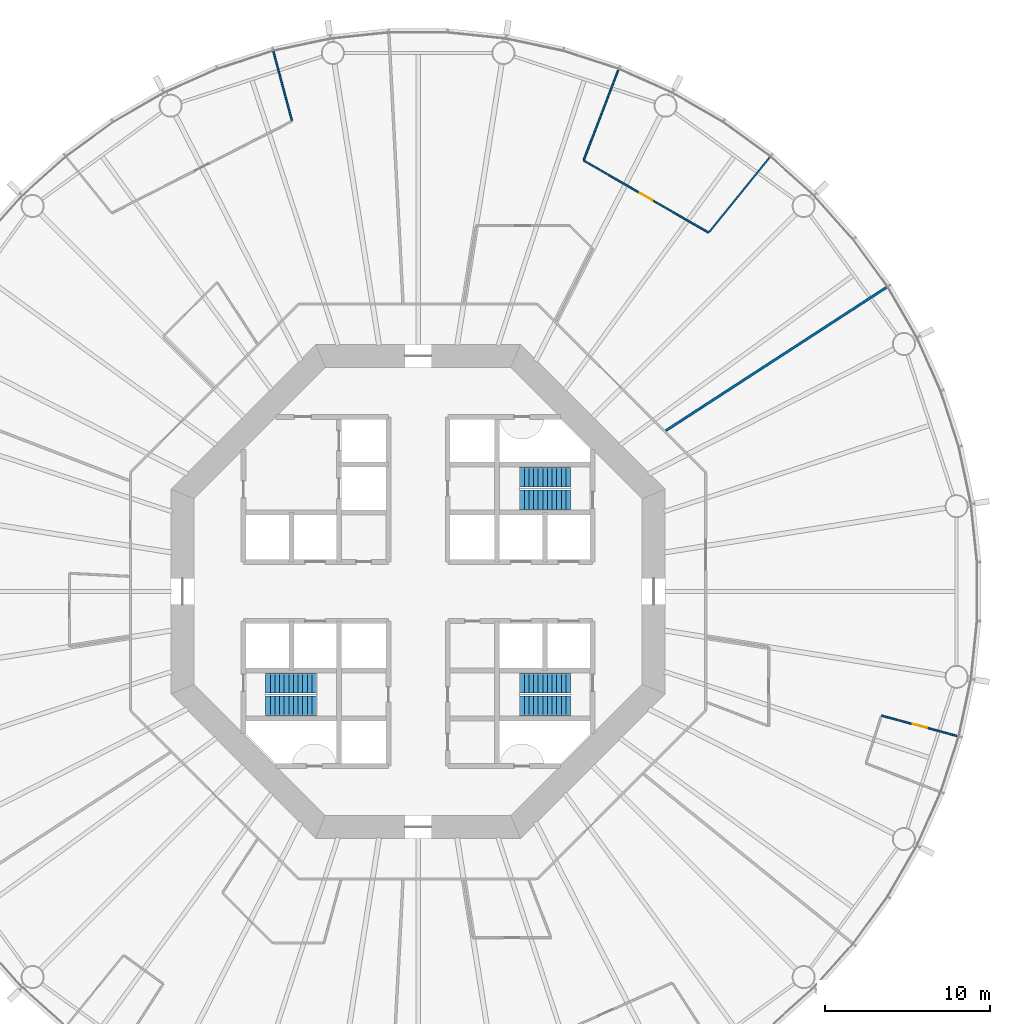
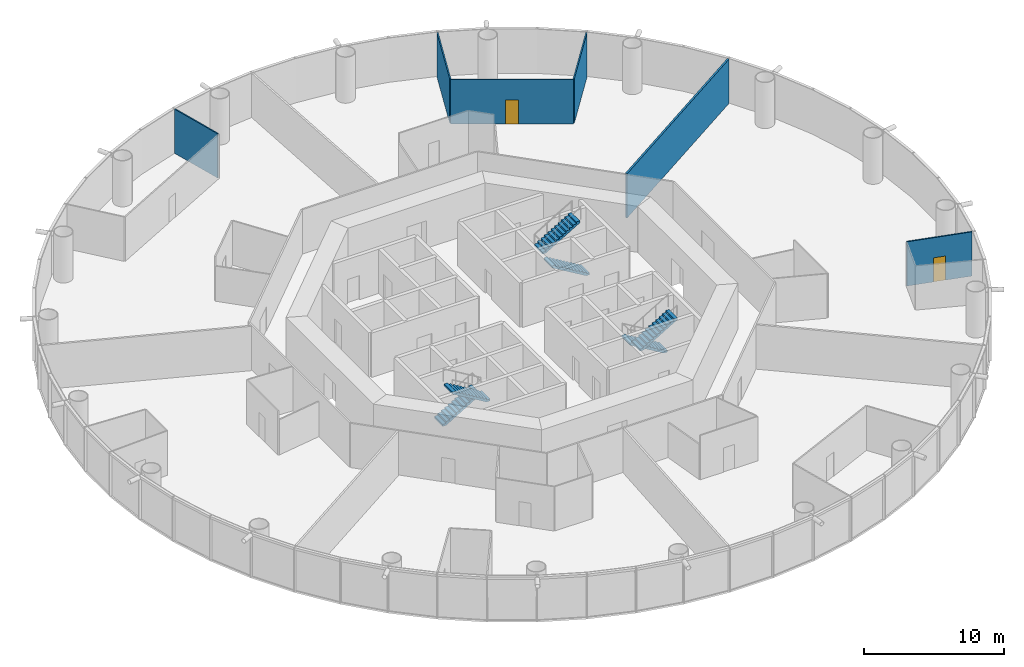
# One storey, part 6 of 13: 6 stair flights, 6 walls, 2 doors, 2 openings, 3 elements without a shape of their own.
"""IFC4 building model written with IfcOpenShell, lengths in metres."""

from ifc_helpers import new_model, si_unit, direction, frame, frame_2d, origin, place, context, subcontext, project, spatial, polyline, rectangle, outline, extrude, material, layer, layer_set, type_object, element, fill, aggregate, save


model = new_model("IFC4")

# Units and contexts
model_context = context("Model", 3, precision=1e-05, world=origin(), true_north=direction((0.0, 1.0)))
body_context = subcontext(model_context, "Body", "Model", "MODEL_VIEW")
ifc_project = project(units=[si_unit("LENGTHUNIT", "METRE"), si_unit("AREAUNIT", "SQUARE_METRE"), si_unit("VOLUMEUNIT", "CUBIC_METRE"), si_unit("PLANEANGLEUNIT", "RADIAN"), si_unit("MASSUNIT", "GRAM", prefix="KILO")], contexts=[model_context])

# Site, building, storey
site_placement = place(None, origin())
site = spatial("IfcSite", under=ifc_project, at=site_placement, CompositionType="ELEMENT")
building_placement = place(site_placement, origin())
building = spatial("IfcBuilding", under=site, at=building_placement, Name="Entoto Ring Tower", CompositionType="ELEMENT")
storey_placement = place(building_placement, frame((0.0, 0.0, 34.0)))
storey = spatial("IfcBuildingStorey", under=building, at=storey_placement, Name="L06", CompositionType="ELEMENT", Elevation=34.0)

# Wall, opening, door
ifc_material_1 = material(Name="Plasterboard on steel studs", Category="steel")
ifc_layer_1 = layer(ifc_material_1, 0.10009765625)
ifc_layer_set_1 = layer_set([ifc_layer_1], Name="Plasterboard on steel studs")
wall_type_1 = type_object("IfcWallType", Name="Partition 100 mm plasterboard on steel studs", PredefinedType="PARTITIONING", material=ifc_layer_set_1)
wall_1_placement = place(storey_placement, frame((107.639892578125, 101.783447265625, 0.0), z_axis=(0.0, 0.0, 1.0), x_axis=(-0.86602796149, 0.499995569897, 0.0)))
wall_1 = element("IfcWall", 1, at=wall_1_placement, inside=storey, type_object=wall_type_1, Name="partition-L06-017", PredefinedType="PARTITIONING", context=body_context, shape_type="SweptSolid", body=[
    extrude(rectangle(XDim=8.76953125, YDim=0.10009765625, at=frame_2d((4.384765625, 0.0))), origin(), (0.0, 0.0, 1.0), 3.85009765625),
])
opening_1_placement = place(wall_1_placement, frame((3.934814453125, 0.0, 0.0)))
opening_1 = element("IfcOpeningElement", 2, at=opening_1_placement, cuts=wall_1, Name="Opening A03-D12", PredefinedType="OPENING", context=body_context, shape_type="SweptSolid", body=[
    extrude(rectangle(XDim=0.89990234375, YDim=2.10009765625, at=frame_2d((0.449951171875, 1.050048828125))), frame((0.0, 0.06005859375, 0.0), z_axis=(0.0, -1.0, 0.0), x_axis=(1.0, 0.0, 0.0)), (0.0, 0.0, 1.0), 0.1201171875),
])
ifc_material_2 = material(Name="Veneered timber door leaf in timber frame", Category="wood")
door_type = type_object("IfcDoorType", Name="Door 900 x 2100 single leaf timber veneer", OperationType="NOTDEFINED", PredefinedType="DOOR", material=ifc_material_2)
door_1_placement = place(opening_1_placement, frame((0.89990234375, 0.0, 0.0), z_axis=(0.0, 0.0, 1.0), x_axis=(-1.0, 0.0, 0.0)))
door_1 = element("IfcDoor", 3, at=door_1_placement, inside=storey, type_object=door_type, Name="Door A03-D12", OperationType="SINGLE_SWING_RIGHT", OverallHeight=2.10009765625, OverallWidth=0.89990234375, PredefinedType="DOOR", context=body_context, shape_type="SweptSolid", body=[
    extrude(rectangle(XDim=0.89990234375, YDim=2.10009765625, at=frame_2d((0.449951171875, 1.050048828125))), frame((0.0, 0.02490234375, 0.0), z_axis=(0.0, -1.0, 0.0), x_axis=(1.0, 0.0, 0.0)), (0.0, 0.0, 1.0), 0.050048828125),
])
fill(opening_1, door_1)

# Walls
wall_2_placement = place(storey_placement, frame((100.062744140625, 106.21435546875, 0.0), z_axis=(0.0, 0.0, 1.0), x_axis=(0.358376050057, 0.933577316962, 0.0)))
element("IfcWall", 4, at=wall_2_placement, inside=storey, type_object=wall_type_1, Name="partition-L06-018", PredefinedType="PARTITIONING", context=body_context, shape_type="SweptSolid", body=[
    extrude(rectangle(XDim=5.86083984375, YDim=0.10009765625, at=frame_2d((2.930419921875, 0.0))), origin(), (0.0, 0.0, 1.0), 3.85009765625),
])
wall_3_placement = place(storey_placement, frame((107.6708984375, 101.82177734375, 0.0), z_axis=(0.0, 0.0, 1.0), x_axis=(0.629332439012, 0.777136205055, 0.0)))
element("IfcWall", 5, at=wall_3_placement, inside=storey, type_object=wall_type_1, Name="partition-L06-019", PredefinedType="PARTITIONING", context=body_context, shape_type="SweptSolid", body=[
    extrude(rectangle(XDim=5.860595703125, YDim=0.10009765625, at=frame_2d((2.93017578125, 0.0))), origin(), (0.0, 0.0, 1.0), 3.85009765625),
])

# Wall, opening, door
wall_4_placement = place(storey_placement, frame((122.783447265625, 71.2158203125, 0.0), z_axis=(0.0, 0.0, 1.0), x_axis=(-0.965935843283, 0.258781658277, 0.0)))
wall_4 = element("IfcWall", 6, at=wall_4_placement, inside=storey, type_object=wall_type_1, Name="partition-L06-026", PredefinedType="PARTITIONING", context=body_context, shape_type="SweptSolid", body=[
    extrude(rectangle(XDim=4.820068359375, YDim=0.10009765625, at=frame_2d((2.41015625, 0.0))), origin(), (0.0, 0.0, 1.0), 3.85009765625),
])
opening_2_placement = place(wall_4_placement, frame((1.9599609375, 0.0, 0.0)))
opening_2 = element("IfcOpeningElement", 7, at=opening_2_placement, cuts=wall_4, Name="Opening A03-D09", PredefinedType="OPENING", context=body_context, shape_type="SweptSolid", body=[
    extrude(rectangle(XDim=0.89990234375, YDim=2.10009765625, at=frame_2d((0.449951171875, 1.050048828125))), frame((0.0, 0.06005859375, 0.0), z_axis=(0.0, -1.0, 0.0), x_axis=(1.0, 0.0, 0.0)), (0.0, 0.0, 1.0), 0.1201171875),
])
door_2_placement = place(opening_2_placement, origin())
door_2 = element("IfcDoor", 8, at=door_2_placement, inside=storey, type_object=door_type, Name="Door A03-D09", OperationType="SINGLE_SWING_LEFT", OverallHeight=2.10009765625, OverallWidth=0.89990234375, PredefinedType="DOOR", context=body_context, shape_type="SweptSolid", body=[
    extrude(rectangle(XDim=0.89990234375, YDim=2.10009765625, at=frame_2d((0.449951171875, 1.050048828125))), frame((0.0, 0.02490234375, 0.0), z_axis=(0.0, -1.0, 0.0), x_axis=(1.0, 0.0, 0.0)), (0.0, 0.0, 1.0), 0.050048828125),
])
fill(opening_2, door_2)

# Walls
wall_5_placement = place(storey_placement, frame((82.336669921875, 108.599853515625, 0.0), z_axis=(0.0, 0.0, 1.0), x_axis=(-0.258788679969, 0.96593396209, 0.0)))
element("IfcWall", 9, at=wall_5_placement, inside=storey, type_object=wall_type_1, Name="partition-L06-037", PredefinedType="PARTITIONING", context=body_context, shape_type="SweptSolid", body=[
    extrude(rectangle(XDim=4.3310546875, YDim=0.10009765625, at=frame_2d((2.16552734375, 0.0))), origin(), (0.0, 0.0, 1.0), 3.85009765625),
])
ifc_material_3 = material(Name="Fire-resisting acoustic plasterboard on steel studs", Category="steel")
ifc_layer_2 = layer(ifc_material_3, 0.14990234375)
ifc_layer_set_2 = layer_set([ifc_layer_2], Name="Fire-resisting acoustic plasterboard on steel studs")
wall_type_2 = type_object("IfcWallType", Name="Party wall 150 mm one-hour acoustic plasterboard on steel studs", PredefinedType="PARTITIONING", material=ifc_layer_set_2)
wall_6_placement = place(storey_placement, frame((105.039306640625, 89.7666015625, 0.0), z_axis=(0.0, 0.0, 1.0), x_axis=(0.838670035364, 0.544639855117, 0.0)))
element("IfcWall", 10, at=wall_6_placement, inside=storey, type_object=wall_type_2, Name="partition-L06-013", PredefinedType="PARTITIONING", context=body_context, shape_type="SweptSolid", body=[
    extrude(rectangle(XDim=16.0078125, YDim=0.14990234375, at=frame_2d((8.00390625, 0.0))), origin(), (0.0, 0.0, 1.0), 3.85009765625),
])

# Stair, stair flights
ifc_material_4 = material(Name="Concrete C40/50", Category="concrete")
stair_type = type_object("IfcStairType", Name="Exit stair 1200 mm dog-leg reinforced concrete", PredefinedType="HALF_TURN_STAIR", material=ifc_material_4)
stair_1_placement = place(storey_placement, origin())
stair_1 = element("IfcStair", 11, at=stair_1_placement, inside=storey, type_object=stair_type, Name="Exit stair 1", PredefinedType="HALF_TURN_STAIR")
ifc_material_5 = material(Name="Concrete C40/50", Category="concrete")
stair_flight_type = type_object("IfcStairFlightType", Name="Stair flight 1200 mm reinforced concrete", PredefinedType="STRAIGHT", material=ifc_material_5)
stair_flight_1_placement = place(storey_placement, frame((99.25, 85.550048828125, 0.0), z_axis=(0.0, 0.0, 1.0), x_axis=(-1.0, 0.0, 0.0)))
stair_flight_1 = element("IfcStairFlight", 12, at=stair_flight_1_placement, type_object=stair_flight_type, Name="ST1 flight 1", NumberOfRisers=12, NumberOfTreads=11, PredefinedType="STRAIGHT", RiserHeight=0.166666667, TreadLength=0.28, context=body_context, shape_type="SweptSolid", body=[
    extrude(outline(polyline([(0.0, 0.0), (0.0, 0.166748046875), (0.280029296875, 0.166748046875), (0.280029296875, 0.333251953125), (0.56005859375, 0.333251953125), (0.56005859375, 0.5), (0.840087890625, 0.5), (0.840087890625, 0.666748046875), (1.1201171875, 0.666748046875), (1.1201171875, 0.833251953125), (1.39990234375, 0.833251953125), (1.39990234375, 1.0), (1.679931640625, 1.0), (1.679931640625, 1.166748046875), (1.9599609375, 1.166748046875), (1.9599609375, 1.333251953125), (2.239990234375, 1.333251953125), (2.239990234375, 1.5), (2.52001953125, 1.5), (2.52001953125, 1.666748046875), (2.800048828125, 1.666748046875), (2.800048828125, 1.833251953125), (3.080078125, 1.833251953125), (3.080078125, 2.0), (3.080078125, 1.658935546875), (0.29296875, 0.0), (0.0, 0.0)])), frame((0.0, 0.60009765625, 0.0), z_axis=(0.0, -1.0, 0.0), x_axis=(1.0, 0.0, 0.0)), (0.0, 0.0, 1.0), 1.199951171875),
])
stair_flight_2_placement = place(storey_placement, frame((96.169921875, 86.949951171875, 2.0), z_axis=(0.0, 0.0, 1.0), x_axis=(1.0, 0.0, 0.0)))
stair_flight_2 = element("IfcStairFlight", 13, at=stair_flight_2_placement, type_object=stair_flight_type, Name="ST1 flight 2", NumberOfRisers=12, NumberOfTreads=11, PredefinedType="STRAIGHT", RiserHeight=0.166666667, TreadLength=0.28, context=body_context, shape_type="SweptSolid", body=[
    extrude(outline(polyline([(0.0, 0.0), (0.0, 0.166748046875), (0.280029296875, 0.166748046875), (0.280029296875, 0.333251953125), (0.56005859375, 0.333251953125), (0.56005859375, 0.5), (0.840087890625, 0.5), (0.840087890625, 0.666748046875), (1.1201171875, 0.666748046875), (1.1201171875, 0.833251953125), (1.39990234375, 0.833251953125), (1.39990234375, 1.0), (1.679931640625, 1.0), (1.679931640625, 1.166748046875), (1.9599609375, 1.166748046875), (1.9599609375, 1.333251953125), (2.239990234375, 1.333251953125), (2.239990234375, 1.5), (2.52001953125, 1.5), (2.52001953125, 1.666748046875), (2.800048828125, 1.666748046875), (2.800048828125, 1.833251953125), (3.080078125, 1.833251953125), (3.080078125, 2.0), (3.080078125, 1.658935546875), (0.29296875, 0.0), (0.0, 0.0)])), frame((0.0, 0.60009765625, 0.0), z_axis=(0.0, -1.0, 0.0), x_axis=(1.0, 0.0, 0.0)), (0.0, 0.0, 1.0), 1.199951171875),
])
aggregate(stair_1, [stair_flight_1, stair_flight_2])

stair_2_placement = place(storey_placement, origin())
stair_2 = element("IfcStair", 14, at=stair_2_placement, inside=storey, type_object=stair_type, Name="Exit stair 2", PredefinedType="HALF_TURN_STAIR")
stair_flight_3_placement = place(storey_placement, frame((80.75, 74.449951171875, 0.0), z_axis=(0.0, 0.0, 1.0), x_axis=(1.0, 0.0, 0.0)))
stair_flight_3 = element("IfcStairFlight", 15, at=stair_flight_3_placement, type_object=stair_flight_type, Name="ST2 flight 1", NumberOfRisers=12, NumberOfTreads=11, PredefinedType="STRAIGHT", RiserHeight=0.166666667, TreadLength=0.28, context=body_context, shape_type="SweptSolid", body=[
    extrude(outline(polyline([(0.0, 0.0), (0.0, 0.166748046875), (0.280029296875, 0.166748046875), (0.280029296875, 0.333251953125), (0.56005859375, 0.333251953125), (0.56005859375, 0.5), (0.840087890625, 0.5), (0.840087890625, 0.666748046875), (1.1201171875, 0.666748046875), (1.1201171875, 0.833251953125), (1.39990234375, 0.833251953125), (1.39990234375, 1.0), (1.679931640625, 1.0), (1.679931640625, 1.166748046875), (1.9599609375, 1.166748046875), (1.9599609375, 1.333251953125), (2.239990234375, 1.333251953125), (2.239990234375, 1.5), (2.52001953125, 1.5), (2.52001953125, 1.666748046875), (2.800048828125, 1.666748046875), (2.800048828125, 1.833251953125), (3.080078125, 1.833251953125), (3.080078125, 2.0), (3.080078125, 1.658935546875), (0.29296875, 0.0), (0.0, 0.0)])), frame((0.0, 0.60009765625, 0.0), z_axis=(0.0, -1.0, 0.0), x_axis=(1.0, 0.0, 0.0)), (0.0, 0.0, 1.0), 1.199951171875),
])
stair_flight_4_placement = place(storey_placement, frame((83.830078125, 73.050048828125, 2.0), z_axis=(0.0, 0.0, 1.0), x_axis=(-1.0, 0.0, 0.0)))
stair_flight_4 = element("IfcStairFlight", 16, at=stair_flight_4_placement, type_object=stair_flight_type, Name="ST2 flight 2", NumberOfRisers=12, NumberOfTreads=11, PredefinedType="STRAIGHT", RiserHeight=0.166666667, TreadLength=0.28, context=body_context, shape_type="SweptSolid", body=[
    extrude(outline(polyline([(0.0, 0.0), (0.0, 0.166748046875), (0.280029296875, 0.166748046875), (0.280029296875, 0.333251953125), (0.56005859375, 0.333251953125), (0.56005859375, 0.5), (0.840087890625, 0.5), (0.840087890625, 0.666748046875), (1.1201171875, 0.666748046875), (1.1201171875, 0.833251953125), (1.39990234375, 0.833251953125), (1.39990234375, 1.0), (1.679931640625, 1.0), (1.679931640625, 1.166748046875), (1.9599609375, 1.166748046875), (1.9599609375, 1.333251953125), (2.239990234375, 1.333251953125), (2.239990234375, 1.5), (2.52001953125, 1.5), (2.52001953125, 1.666748046875), (2.800048828125, 1.666748046875), (2.800048828125, 1.833251953125), (3.080078125, 1.833251953125), (3.080078125, 2.0), (3.080078125, 1.658935546875), (0.29296875, 0.0), (0.0, 0.0)])), frame((0.0, 0.60009765625, 0.0), z_axis=(0.0, -1.0, 0.0), x_axis=(1.0, 0.0, 0.0)), (0.0, 0.0, 1.0), 1.199951171875),
])
aggregate(stair_2, [stair_flight_3, stair_flight_4])

stair_3_placement = place(storey_placement, origin())
stair_3 = element("IfcStair", 17, at=stair_3_placement, inside=storey, type_object=stair_type, Name="Exit stair 3", PredefinedType="HALF_TURN_STAIR")
stair_flight_5_placement = place(storey_placement, frame((99.25, 74.449951171875, 0.0), z_axis=(0.0, 0.0, 1.0), x_axis=(-1.0, 0.0, 0.0)))
stair_flight_5 = element("IfcStairFlight", 18, at=stair_flight_5_placement, type_object=stair_flight_type, Name="ST3 flight 1", NumberOfRisers=12, NumberOfTreads=11, PredefinedType="STRAIGHT", RiserHeight=0.166666667, TreadLength=0.28, context=body_context, shape_type="SweptSolid", body=[
    extrude(outline(polyline([(0.0, 0.0), (0.0, 0.166748046875), (0.280029296875, 0.166748046875), (0.280029296875, 0.333251953125), (0.56005859375, 0.333251953125), (0.56005859375, 0.5), (0.840087890625, 0.5), (0.840087890625, 0.666748046875), (1.1201171875, 0.666748046875), (1.1201171875, 0.833251953125), (1.39990234375, 0.833251953125), (1.39990234375, 1.0), (1.679931640625, 1.0), (1.679931640625, 1.166748046875), (1.9599609375, 1.166748046875), (1.9599609375, 1.333251953125), (2.239990234375, 1.333251953125), (2.239990234375, 1.5), (2.52001953125, 1.5), (2.52001953125, 1.666748046875), (2.800048828125, 1.666748046875), (2.800048828125, 1.833251953125), (3.080078125, 1.833251953125), (3.080078125, 2.0), (3.080078125, 1.658935546875), (0.29296875, 0.0), (0.0, 0.0)])), frame((0.0, 0.60009765625, 0.0), z_axis=(0.0, -1.0, 0.0), x_axis=(1.0, 0.0, 0.0)), (0.0, 0.0, 1.0), 1.199951171875),
])
stair_flight_6_placement = place(storey_placement, frame((96.169921875, 73.050048828125, 2.0), z_axis=(0.0, 0.0, 1.0), x_axis=(1.0, 0.0, 0.0)))
stair_flight_6 = element("IfcStairFlight", 19, at=stair_flight_6_placement, type_object=stair_flight_type, Name="ST3 flight 2", NumberOfRisers=12, NumberOfTreads=11, PredefinedType="STRAIGHT", RiserHeight=0.166666667, TreadLength=0.28, context=body_context, shape_type="SweptSolid", body=[
    extrude(outline(polyline([(0.0, 0.0), (0.0, 0.166748046875), (0.280029296875, 0.166748046875), (0.280029296875, 0.333251953125), (0.56005859375, 0.333251953125), (0.56005859375, 0.5), (0.840087890625, 0.5), (0.840087890625, 0.666748046875), (1.1201171875, 0.666748046875), (1.1201171875, 0.833251953125), (1.39990234375, 0.833251953125), (1.39990234375, 1.0), (1.679931640625, 1.0), (1.679931640625, 1.166748046875), (1.9599609375, 1.166748046875), (1.9599609375, 1.333251953125), (2.239990234375, 1.333251953125), (2.239990234375, 1.5), (2.52001953125, 1.5), (2.52001953125, 1.666748046875), (2.800048828125, 1.666748046875), (2.800048828125, 1.833251953125), (3.080078125, 1.833251953125), (3.080078125, 2.0), (3.080078125, 1.658935546875), (0.29296875, 0.0), (0.0, 0.0)])), frame((0.0, 0.60009765625, 0.0), z_axis=(0.0, -1.0, 0.0), x_axis=(1.0, 0.0, 0.0)), (0.0, 0.0, 1.0), 1.199951171875),
])
aggregate(stair_3, [stair_flight_5, stair_flight_6])

save(model, "model.ifc")
